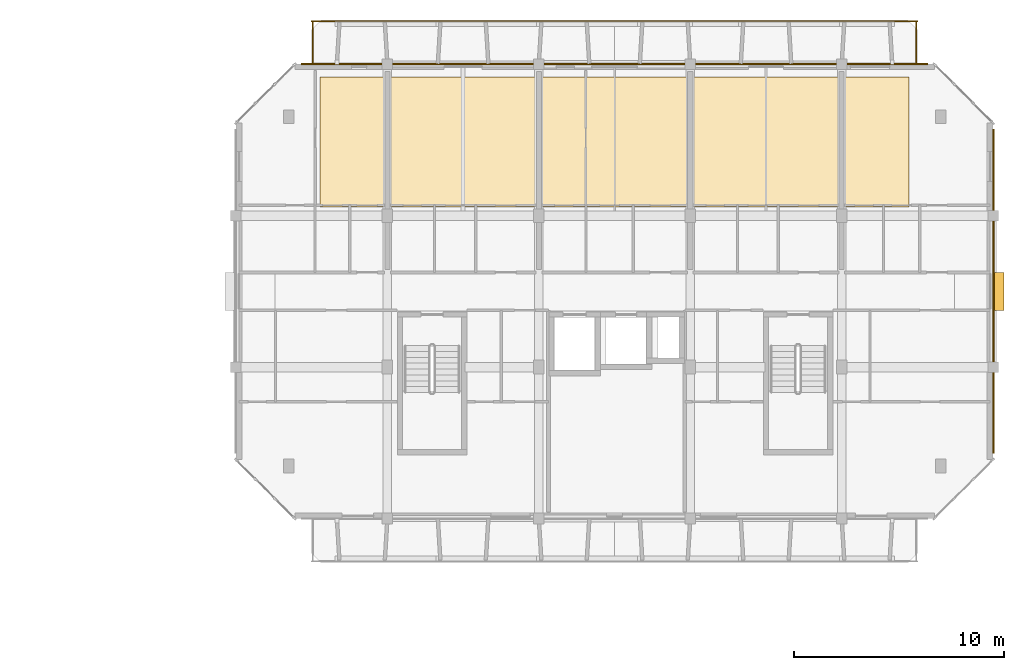
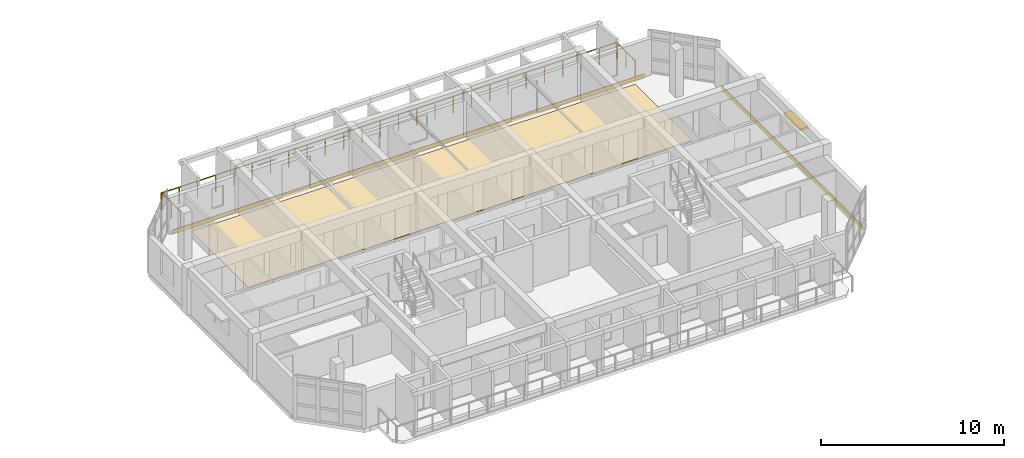
# One storey, part 44 of 44: 3 coverings, 3 railings, 1 shading device.
"""IFC4 building model written with IfcOpenShell, lengths in metres."""

from ifc_helpers import new_model, si_unit, direction, frame, origin, origin_2d, place, context, subcontext, project, spatial, polyline, rectangle, circle, outline, extrude, material, layer, layer_set, type_object, element, save


model = new_model("IFC4")

# Units and contexts
model_context = context("Model", 3, precision=1e-05, world=origin(), true_north=direction((0.0, 1.0)))
body_context = subcontext(model_context, "Body", "Model", "MODEL_VIEW")
ifc_project = project(units=[si_unit("LENGTHUNIT", "METRE"), si_unit("AREAUNIT", "SQUARE_METRE"), si_unit("VOLUMEUNIT", "CUBIC_METRE"), si_unit("PLANEANGLEUNIT", "RADIAN"), si_unit("MASSUNIT", "GRAM", prefix="KILO")], contexts=[model_context])

# Site, building, storey
site_placement = place(None, origin())
site = spatial("IfcSite", under=ifc_project, at=site_placement, CompositionType="ELEMENT")
building_placement = place(site_placement, origin())
building = spatial("IfcBuilding", under=site, at=building_placement, Name="Ochrevale Crest", CompositionType="ELEMENT")
storey_placement = place(building_placement, frame((0.0, 0.0, 21.300048828125)))
storey = spatial("IfcBuildingStorey", under=building, at=storey_placement, Name="L06", CompositionType="ELEMENT", Elevation=21.300048828125)

# Coverings
ifc_material_1 = material(Name="Glazed terracotta rainscreen tile", Category="masonry")
ifc_layer_1 = layer(ifc_material_1, 0.048095703125)
ifc_layer_set_1 = layer_set([ifc_layer_1], Name="Glazed terracotta rainscreen tile")
covering_type_1 = type_object("IfcCoveringType", Name="COV-CLAD-TER", PredefinedType="CLADDING", material=ifc_layer_set_1)
covering_1_placement = place(storey_placement, frame((165.614501953125, 82.800048828125, -0.26025390625), z_axis=(0.0, 0.0, 1.0), x_axis=(0.0, 1.0, 0.0)))
element("IfcCovering", 1, at=covering_1_placement, inside=storey, type_object=covering_type_1, Name="Block D L06 terracotta slab-edge spandrel cladding", PredefinedType="CLADDING", context=body_context, shape_type="SweptSolid", body=[
    extrude(rectangle(XDim=15.39990234375, YDim=0.06005859375, at=origin_2d()), origin(), (0.0, 0.0, 1.0), 0.280029296875),
])
covering_2_placement = place(storey_placement, frame((147.60009765625, 93.612548828125, -0.26025390625), z_axis=(0.0, 0.0, 1.0), x_axis=(-1.0, 0.0, 0.0)))
element("IfcCovering", 2, at=covering_2_placement, inside=storey, type_object=covering_type_1, Name="Block D L06 terracotta slab-edge spandrel cladding", PredefinedType="CLADDING", context=body_context, shape_type="SweptSolid", body=[
    extrude(rectangle(XDim=29.800048828125, YDim=0.06005859375, at=origin_2d()), origin(), (0.0, 0.0, 1.0), 0.280029296875),
])
ifc_material_2 = material(Name="Engineered spotted-gum hardwood flooring", Category="wood")
ifc_layer_2 = layer(ifc_material_2, 0.02001953125)
ifc_layer_set_2 = layer_set([ifc_layer_2], Name="Engineered spotted-gum hardwood flooring")
covering_type_2 = type_object("IfcCoveringType", Name="COV-FLR-TIM", PredefinedType="FLOORING", material=ifc_layer_set_2)
covering_3_placement = place(storey_placement, origin())
element("IfcCovering", 3, at=covering_3_placement, inside=storey, type_object=covering_type_2, Name="Block D L06 spotted-gum apartment flooring", PredefinedType="FLOORING", context=body_context, shape_type="SweptSolid", body=[
    extrude(outline(polyline([(133.60009765625, 86.800048828125), (161.60009765625, 86.800048828125), (161.60009765625, 93.0), (133.60009765625, 93.0), (133.60009765625, 86.800048828125)])), origin(), (0.0, 0.0, 1.0), 0.02001953125),
])

# Railings
ifc_material_3 = material(Name="Galvanised steel", Category="steel")
railing_type = type_object("IfcRailingType", Name="RL-BAL-1100", PredefinedType="BALUSTRADE", material=ifc_material_3)
railing_placement = place(storey_placement, frame((133.199951171875, 95.639892578125, 0.0)))
element("IfcRailing", 4, at=railing_placement, inside=storey, type_object=railing_type, Name="Block D L06 N balcony front balustrade", PredefinedType="BALUSTRADE", context=body_context, shape_type="SweptSolid", body=[
    extrude(circle(Radius=0.02392578125, at=origin_2d()), frame((0.0, 0.0, 1.0859375), z_axis=(1.0, 0.0, 0.0), x_axis=(0.0, 1.0, 0.0)), (0.0, 0.0, 1.0), 28.800048828125),
    extrude(circle(Radius=0.02099609375, at=origin_2d()), origin(), (0.0, 0.0, 1.0), 1.06201171875),
    extrude(circle(Radius=0.02099609375, at=origin_2d()), frame((1.152099609375, 0.0, 0.0)), (0.0, 0.0, 1.0), 1.06201171875),
    extrude(circle(Radius=0.02099609375, at=origin_2d()), frame((2.303955078125, 0.0, 0.0)), (0.0, 0.0, 1.0), 1.06201171875),
    extrude(circle(Radius=0.02099609375, at=origin_2d()), frame((3.4560546875, 0.0, 0.0)), (0.0, 0.0, 1.0), 1.06201171875),
    extrude(circle(Radius=0.02099609375, at=origin_2d()), frame((4.60791015625, 0.0, 0.0)), (0.0, 0.0, 1.0), 1.06201171875),
    extrude(circle(Radius=0.02099609375, at=origin_2d()), frame((5.760009765625, 0.0, 0.0)), (0.0, 0.0, 1.0), 1.06201171875),
    extrude(circle(Radius=0.02099609375, at=origin_2d()), frame((6.912109375, 0.0, 0.0)), (0.0, 0.0, 1.0), 1.06201171875),
    extrude(circle(Radius=0.02099609375, at=origin_2d()), frame((8.06396484375, 0.0, 0.0)), (0.0, 0.0, 1.0), 1.06201171875),
    extrude(circle(Radius=0.02099609375, at=origin_2d()), frame((9.216064453125, 0.0, 0.0)), (0.0, 0.0, 1.0), 1.06201171875),
    extrude(circle(Radius=0.02099609375, at=origin_2d()), frame((10.367919921875, 0.0, 0.0)), (0.0, 0.0, 1.0), 1.06201171875),
    extrude(circle(Radius=0.02099609375, at=origin_2d()), frame((11.52001953125, 0.0, 0.0)), (0.0, 0.0, 1.0), 1.06201171875),
    extrude(circle(Radius=0.02099609375, at=origin_2d()), frame((12.672119140625, 0.0, 0.0)), (0.0, 0.0, 1.0), 1.06201171875),
    extrude(circle(Radius=0.02099609375, at=origin_2d()), frame((13.823974609375, 0.0, 0.0)), (0.0, 0.0, 1.0), 1.06201171875),
    extrude(circle(Radius=0.02099609375, at=origin_2d()), frame((14.97607421875, 0.0, 0.0)), (0.0, 0.0, 1.0), 1.06201171875),
    extrude(circle(Radius=0.02099609375, at=origin_2d()), frame((16.1279296875, 0.0, 0.0)), (0.0, 0.0, 1.0), 1.06201171875),
    extrude(circle(Radius=0.02099609375, at=origin_2d()), frame((17.280029296875, 0.0, 0.0)), (0.0, 0.0, 1.0), 1.06201171875),
    extrude(circle(Radius=0.02099609375, at=origin_2d()), frame((18.43212890625, 0.0, 0.0)), (0.0, 0.0, 1.0), 1.06201171875),
    extrude(circle(Radius=0.02099609375, at=origin_2d()), frame((19.583984375, 0.0, 0.0)), (0.0, 0.0, 1.0), 1.06201171875),
    extrude(circle(Radius=0.02099609375, at=origin_2d()), frame((20.736083984375, 0.0, 0.0)), (0.0, 0.0, 1.0), 1.06201171875),
    extrude(circle(Radius=0.02099609375, at=origin_2d()), frame((21.887939453125, 0.0, 0.0)), (0.0, 0.0, 1.0), 1.06201171875),
    extrude(circle(Radius=0.02099609375, at=origin_2d()), frame((23.0400390625, 0.0, 0.0)), (0.0, 0.0, 1.0), 1.06201171875),
    extrude(circle(Radius=0.02099609375, at=origin_2d()), frame((24.192138671875, 0.0, 0.0)), (0.0, 0.0, 1.0), 1.06201171875),
    extrude(circle(Radius=0.02099609375, at=origin_2d()), frame((25.343994140625, 0.0, 0.0)), (0.0, 0.0, 1.0), 1.06201171875),
    extrude(circle(Radius=0.02099609375, at=origin_2d()), frame((26.49609375, 0.0, 0.0)), (0.0, 0.0, 1.0), 1.06201171875),
    extrude(circle(Radius=0.02099609375, at=origin_2d()), frame((27.64794921875, 0.0, 0.0)), (0.0, 0.0, 1.0), 1.06201171875),
    extrude(circle(Radius=0.02099609375, at=origin_2d()), frame((28.800048828125, 0.0, 0.0)), (0.0, 0.0, 1.0), 1.06201171875),
])
for number, where, name in (
    (5, (133.260009765625, 93.60009765625, 0.0), "Block D L06 N-W balcony side guard"),
    (6, (161.93994140625, 93.60009765625, 0.0), "Block D L06 N-E balcony side guard"),
):
    element("IfcRailing", number, at=place(storey_placement, frame(where)), inside=storey, type_object=railing_type, Name=name, PredefinedType="BALUSTRADE", context=body_context, shape_type="SweptSolid", body=[
        extrude(circle(Radius=0.02392578125, at=origin_2d()), frame((0.0, 0.0, 1.0859375), z_axis=(0.0, 1.0, 0.0), x_axis=(-1.0, 0.0, 0.0)), (0.0, 0.0, 1.0), 2.039794921875),
        extrude(circle(Radius=0.02099609375, at=origin_2d()), origin(), (0.0, 0.0, 1.0), 1.06201171875),
        extrude(circle(Radius=0.02099609375, at=origin_2d()), frame((0.0, 1.02001953125, 0.0)), (0.0, 0.0, 1.0), 1.06201171875),
        extrude(circle(Radius=0.02099609375, at=origin_2d()), frame((0.0, 2.039794921875, 0.0)), (0.0, 0.0, 1.0), 1.06201171875),
    ])

# Shading device
ifc_material_4 = material(Name="Anodised aluminium 6063-T5", Category="aluminium")
shading_device_type = type_object("IfcShadingDeviceType", Name="SHD-SUNSHADE-OC", PredefinedType="USERDEFINED", material=ifc_material_4)
shading_device_placement = place(storey_placement, frame((165.840087890625, 82.800048828125, 2.2099609375), z_axis=(0.0, 0.0, 1.0), x_axis=(1.0, 0.0, 0.0)))
element("IfcShadingDevice", 7, at=shading_device_placement, inside=storey, type_object=shading_device_type, Name="Block D L06 gable window sunshade E", ObjectType="HORIZONTAL SUNSHADE", PredefinedType="USERDEFINED", context=body_context, shape_type="SweptSolid", body=[
    extrude(rectangle(XDim=0.550048828125, YDim=1.800048828125, at=origin_2d()), origin(), (0.0, 0.0, 1.0), 0.139892578125),
])

save(model, "model.ifc")
